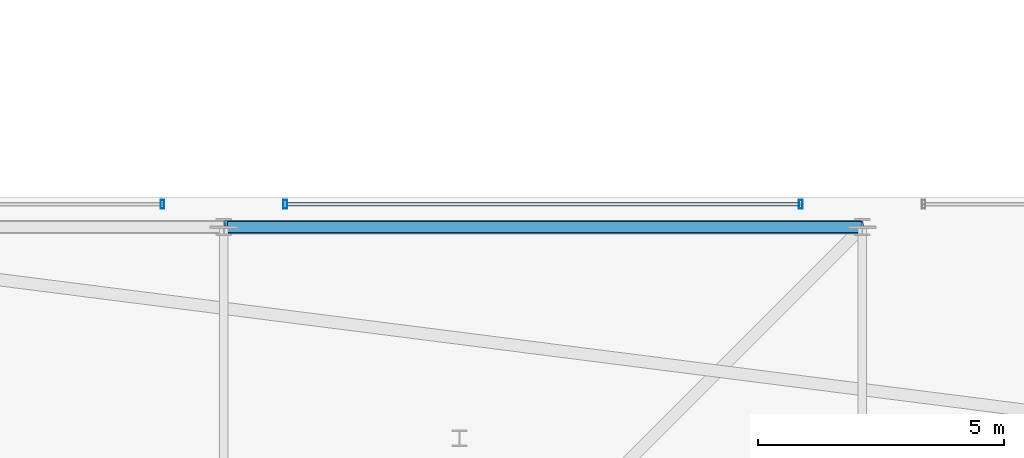
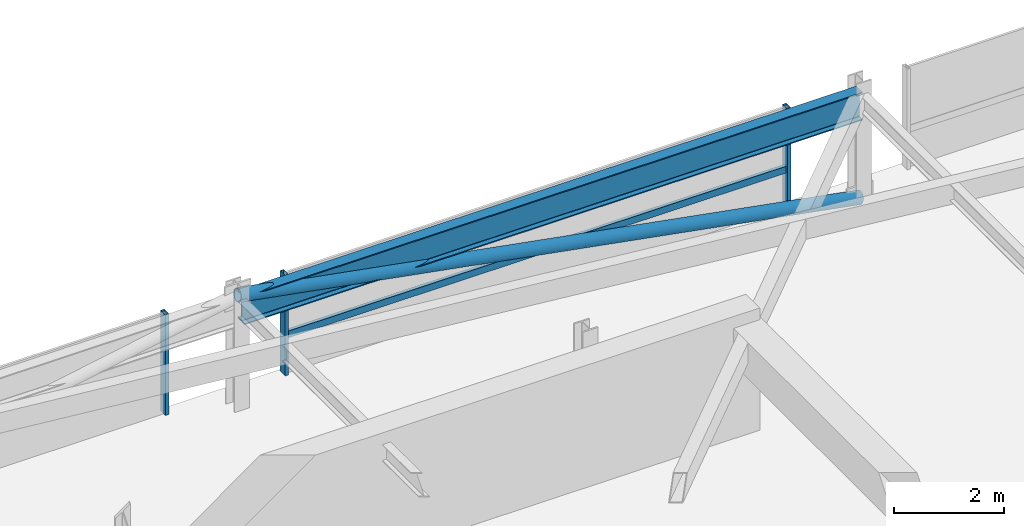
# One storey, part 24 of 42: 5 members, 1 beam, 2 elements without a shape of their own.
"""IFC4 building model written with IfcOpenShell, lengths in metres."""

from ifc_helpers import new_model, si_unit, direction, frame, origin, origin_2d, place, context, subcontext, project, spatial, hollow_rectangle, hollow_circle, i_section, extrude, material, material_profile, profile_set, type_object, element, aggregate, save


model = new_model("IFC4")

# Units and contexts
model_context = context("Model", 3, precision=1e-05, world=origin(), true_north=direction((0.0, 1.0)))
body_context = subcontext(model_context, "Body", "Model", "MODEL_VIEW")
ifc_project = project(units=[si_unit("LENGTHUNIT", "METRE"), si_unit("AREAUNIT", "SQUARE_METRE"), si_unit("VOLUMEUNIT", "CUBIC_METRE"), si_unit("PLANEANGLEUNIT", "RADIAN"), si_unit("MASSUNIT", "GRAM", prefix="KILO")], contexts=[model_context])

# Site, building, storey
site_placement = place(None, origin())
site = spatial("IfcSite", under=ifc_project, at=site_placement, CompositionType="ELEMENT")
building_placement = place(site_placement, origin())
building = spatial("IfcBuilding", under=site, at=building_placement, Name="Thornwick Lancets Civic Towers", CompositionType="ELEMENT")
storey_placement = place(building_placement, frame((0.0, 0.0, 289.5)))
storey = spatial("IfcBuildingStorey", under=building, at=storey_placement, Name="C04", CompositionType="ELEMENT", Elevation=289.5)

# Beam
ifc_material_1 = material(Name="Steel S355JR", Category="steel")
ifc_material_profile_1 = material_profile(ifc_material_1, i_section(OverallWidth=0.230224609375, OverallDepth=0.6171875, WebThickness=0.01318359375, FlangeThickness=0.022216796875, FilletRadius=0.0126953125, at=origin_2d()), Name="UKB 610x229x140")
ifc_profile_set_1 = profile_set([ifc_material_profile_1], Name="Steel S355JR")
beam_type = type_object("IfcBeamType", Name="BM_GIRD_610_140", PredefinedType="BEAM", material=ifc_profile_set_1)
beam_placement = place(storey_placement, frame((25.580078125, 44.300048828125, 2.13134765625), z_axis=(1.0, 0.0, 0.0), x_axis=(0.0, 1.0, 0.0)))
element("IfcBeam", 1, at=beam_placement, inside=storey, type_object=beam_type, Name="BM-SPINE-C04-A-7-8", PredefinedType="BEAM", context=body_context, shape_type="SweptSolid", body=[
    extrude(i_section(OverallWidth=0.230224609375, OverallDepth=0.6171875, WebThickness=0.01318359375, FlangeThickness=0.022216796875, FilletRadius=0.0126953125, at=origin_2d()), origin(), (0.0, 0.0, 1.0), 12.919921875),
])

# Curtain wall, members
ifc_material_2 = material(Name="Crown ring acoustic-louvre and glazing screen wall", Category="glass")
curtain_wall_type = type_object("IfcCurtainWallType", Name="CW_SYS_07", PredefinedType="NOTDEFINED", material=ifc_material_2)
curtain_wall_1_placement = place(storey_placement, origin())
curtain_wall_1 = element("IfcCurtainWall", 2, at=curtain_wall_1_placement, inside=storey, type_object=curtain_wall_type, Name="C04 Curtain Wall CW-C04-A-E4-S2", PredefinedType="NOTDEFINED")
ifc_material_3 = material(Name="Thermally broken bronze aluminium S355", Category="steel")
ifc_material_profile_2 = material_profile(ifc_material_3, hollow_rectangle(XDim=0.074951171875, YDim=0.179931640625, WallThickness=0.006103515625, at=origin_2d()), Name="RHS 180x75x6")
ifc_profile_set_2 = profile_set([ifc_material_profile_2], Name="Thermally broken bronze aluminium S355")
member_type_1 = type_object("IfcMemberType", Name="CW_MUL_180", PredefinedType="MULLION", material=ifc_profile_set_2)
member_1_placement = place(storey_placement, frame((37.25, 44.7646484375, 0.0), z_axis=(0.0, 0.0, 1.0), x_axis=(1.0, 0.0, 0.0)))
member_1 = element("IfcMember", 3, at=member_1_placement, type_object=member_type_1, Name="CW-C04-A-E4-S2 Mullion 0", PredefinedType="MULLION", context=body_context, shape_type="SweptSolid", body=[
    extrude(hollow_rectangle(XDim=0.074951171875, YDim=0.179931640625, WallThickness=0.006103515625, at=origin_2d()), origin(), (0.0, 0.0, 1.0), 2.219970703125),
])
member_2_placement = place(storey_placement, frame((26.75, 44.7646484375, 0.0), z_axis=(0.0, 0.0, 1.0), x_axis=(1.0, 0.0, 0.0)))
member_2 = element("IfcMember", 4, at=member_2_placement, type_object=member_type_1, Name="CW-C04-A-E4-S2 Mullion 1", PredefinedType="MULLION", context=body_context, shape_type="SweptSolid", body=[
    extrude(hollow_rectangle(XDim=0.074951171875, YDim=0.179931640625, WallThickness=0.006103515625, at=origin_2d()), origin(), (0.0, 0.0, 1.0), 2.219970703125),
])

# Curtain wall, member
curtain_wall_2_placement = place(storey_placement, origin())
curtain_wall_2 = element("IfcCurtainWall", 5, at=curtain_wall_2_placement, inside=storey, type_object=curtain_wall_type, Name="C04 Curtain Wall CW-C04-A-E4-S3", PredefinedType="NOTDEFINED")
member_3_placement = place(storey_placement, frame((24.25, 44.7646484375, 0.0), z_axis=(0.0, 0.0, 1.0), x_axis=(1.0, 0.0, 0.0)))
member_3 = element("IfcMember", 6, at=member_3_placement, type_object=member_type_1, Name="CW-C04-A-E4-S3 Mullion 0", PredefinedType="MULLION", context=body_context, shape_type="SweptSolid", body=[
    extrude(hollow_rectangle(XDim=0.074951171875, YDim=0.179931640625, WallThickness=0.006103515625, at=origin_2d()), origin(), (0.0, 0.0, 1.0), 2.219970703125),
])
aggregate(curtain_wall_2, [member_3])

# Member
ifc_material_profile_3 = material_profile(ifc_material_3, hollow_rectangle(XDim=0.074951171875, YDim=0.14990234375, WallThickness=0.0048828125, at=origin_2d()), Name="RHS 150x75x5")
ifc_profile_set_3 = profile_set([ifc_material_profile_3], Name="Thermally broken bronze aluminium S355")
member_type_2 = type_object("IfcMemberType", Name="CW_TRN_150", PredefinedType="USERDEFINED", material=ifc_profile_set_3)
member_4_placement = place(storey_placement, frame((37.22998046875, 44.7646484375, 0.85009765625), z_axis=(-1.0, 0.0, 0.0), x_axis=(0.0, -1.0, 0.0)))
member_4 = element("IfcMember", 7, at=member_4_placement, type_object=member_type_2, Name="CW-C04-A-E4-S2 Transom 0", ObjectType="TRANSOM", PredefinedType="USERDEFINED", context=body_context, shape_type="SweptSolid", body=[
    extrude(hollow_rectangle(XDim=0.074951171875, YDim=0.14990234375, WallThickness=0.0048828125, at=origin_2d()), origin(), (0.0, 0.0, 1.0), 10.4599609375),
])

aggregate(curtain_wall_1, [member_1, member_2, member_4])

ifc_material_profile_4 = material_profile(ifc_material_1, hollow_circle(Radius=0.136474609375, WallThickness=0.012451171875, at=origin_2d()), Name="CHS 273x12.5")
ifc_profile_set_4 = profile_set([ifc_material_profile_4], Name="Steel S355JR")
member_type_3 = type_object("IfcMemberType", Name="MEM_CROWN_CHS273", PredefinedType="BRACE", material=ifc_profile_set_4)
member_5_placement = place(storey_placement, frame((38.5, 44.300048828125, 0.050048828125), z_axis=(-0.98351842104, 0.0, 0.180807951915), x_axis=(0.0, -1.0, 0.0)))
element("IfcMember", 8, at=member_5_placement, inside=storey, type_object=member_type_3, Name="C04 Crown Ring Lancet Rib A-S2-R", PredefinedType="BRACE", context=body_context, shape_type="SweptSolid", body=[
    extrude(hollow_circle(Radius=0.136474609375, WallThickness=0.012451171875, at=origin_2d()), origin(), (0.0, 0.0, 1.0), 13.2177734375),
])

save(model, "model.ifc")
